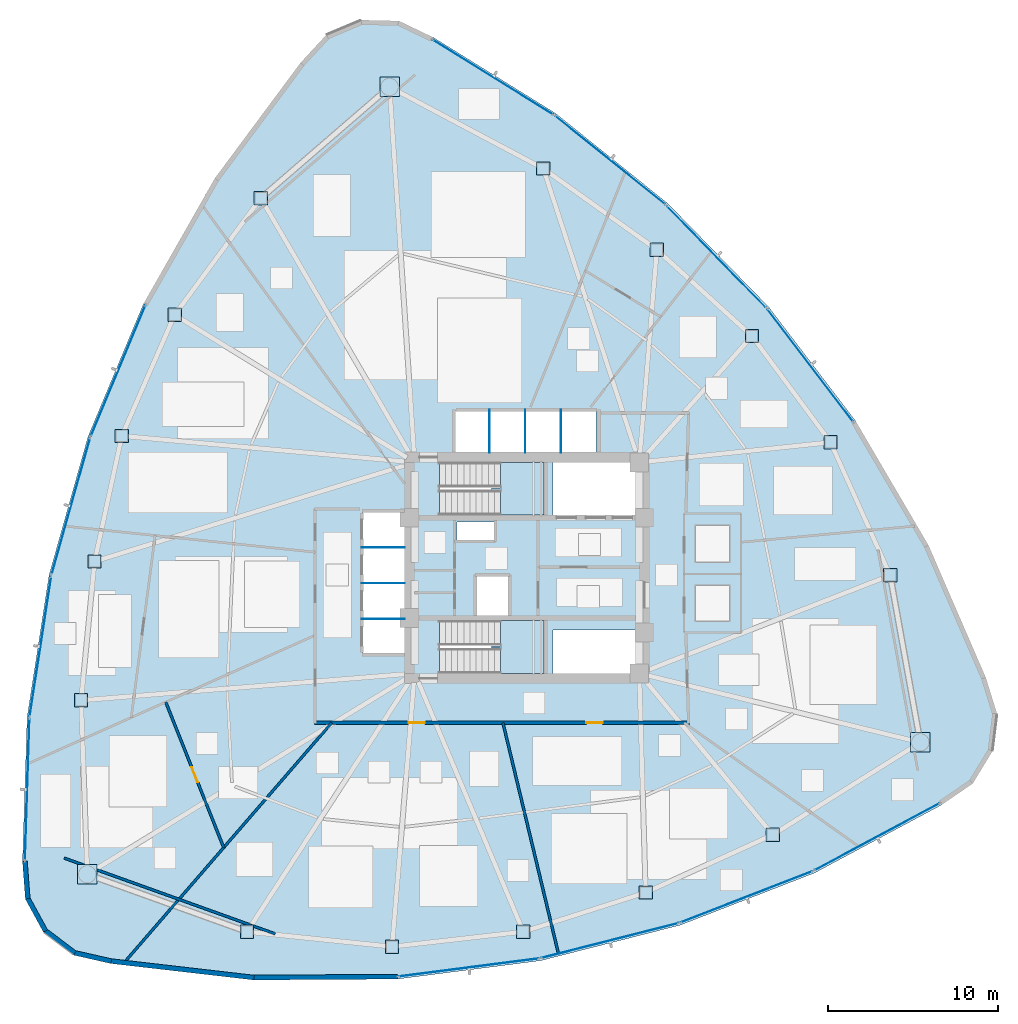
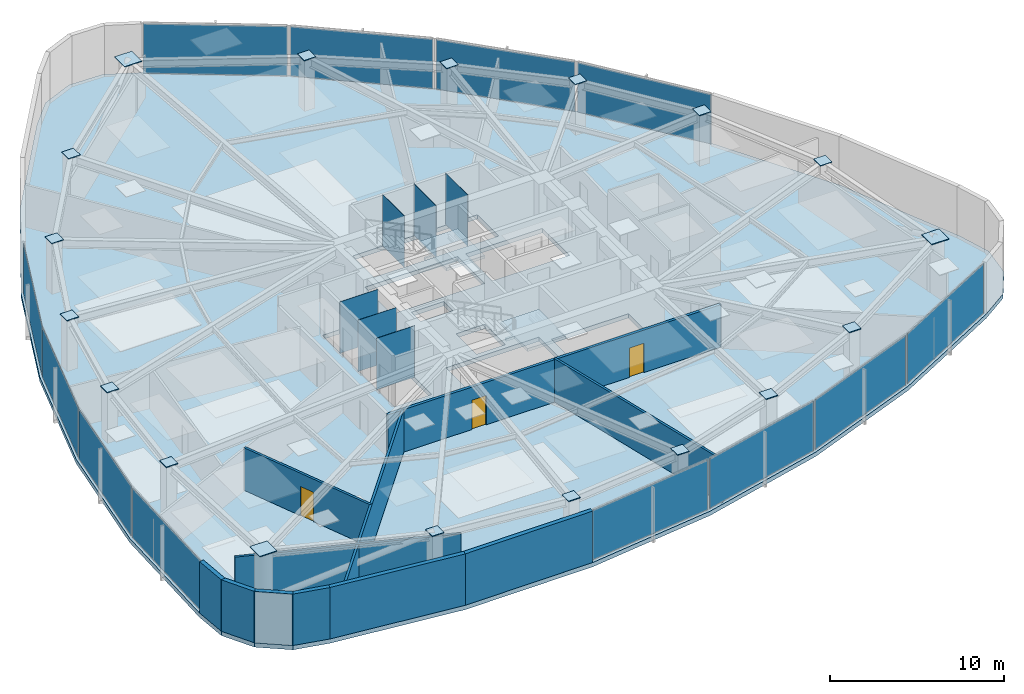
# One storey, part 10 of 17: 36 plates, 11 walls, 3 doors, 3 slabs, 3 openings, 14 elements without a shape of their own.
"""IFC4 building model written with IfcOpenShell, lengths in metres."""

from ifc_helpers import new_model, si_unit, direction, frame, frame_2d, origin, origin_2d, place, context, subcontext, project, spatial, polyline, rectangle, outline, extrude, source, transform, mapped, material, layer, layer_set, type_object, type_shapes, element, fill, aggregate, save


model = new_model("IFC4")

# Units and contexts
model_context = context("Model", 3, precision=1e-05, world=origin(), true_north=direction((0.0, 1.0)))
body_context = subcontext(model_context, "Body", "Model", "MODEL_VIEW")
ifc_project = project(units=[si_unit("LENGTHUNIT", "METRE"), si_unit("AREAUNIT", "SQUARE_METRE"), si_unit("VOLUMEUNIT", "CUBIC_METRE"), si_unit("PLANEANGLEUNIT", "RADIAN"), si_unit("MASSUNIT", "GRAM", prefix="KILO")], contexts=[model_context])

# Site, building, storey
site_placement = place(None, origin())
site = spatial("IfcSite", under=ifc_project, at=site_placement, CompositionType="ELEMENT")
building_placement = place(site_placement, origin())
building = spatial("IfcBuilding", under=site, at=building_placement, Name="Tavelor Broadcast Tower", CompositionType="ELEMENT")
storey_placement = place(building_placement, frame((0.0, 0.0, 70.5)))
storey = spatial("IfcBuildingStorey", under=building, at=storey_placement, Name="L16", CompositionType="ELEMENT", Elevation=70.5)

# Stair, slab
ifc_material_1 = material(Name="Concrete C40/50", Category="concrete")
stair_type = type_object("IfcStairType", Name="Reinforced Concrete Protected Dogleg Stair 1450 mm", PredefinedType="HALF_TURN_STAIR", material=ifc_material_1)
stair_1_placement = place(storey_placement, origin())
stair_1 = element("IfcStair", 1, at=stair_1_placement, inside=storey, type_object=stair_type, Name="L16 Protected Core Exit Stair ST1", PredefinedType="HALF_TURN_STAIR")
ifc_layer_1 = layer(ifc_material_1, 0.199951171875)
ifc_layer_set_1 = layer_set([ifc_layer_1], Name="Concrete C40/50")
slab_type_1 = type_object("IfcSlabType", Name="Reinforced Concrete Stair Half-Landing Slab 200 mm", PredefinedType="LANDING", material=ifc_layer_set_1)
slab_1_placement = place(storey_placement, frame((0.0, 0.0, 1.75)))
slab_1 = element("IfcSlab", 2, at=slab_1_placement, type_object=slab_type_1, Name="ST1 landing 1", PredefinedType="LANDING", context=body_context, shape_type="SweptSolid", body=[
    extrude(outline(polyline([(48.445068359375, 49.590087890625), (48.445068359375, 48.094970703125), (51.0048828125, 48.094970703125), (51.0048828125, 51.205078125), (48.445068359375, 51.205078125), (48.445068359375, 49.7099609375), (47.905029296875, 49.7099609375), (47.905029296875, 49.590087890625), (48.445068359375, 49.590087890625)])), origin(), (0.0, 0.0, 1.0), 0.199951171875),
])
aggregate(stair_1, [slab_1])

stair_2_placement = place(storey_placement, origin())
stair_2 = element("IfcStair", 3, at=stair_2_placement, inside=storey, type_object=stair_type, Name="L16 Protected Core Exit Stair ST2", PredefinedType="HALF_TURN_STAIR")
slab_2_placement = place(storey_placement, frame((0.0, 0.0, 1.75)))
slab_2 = element("IfcSlab", 4, at=slab_2_placement, type_object=slab_type_1, Name="ST2 landing 1", PredefinedType="LANDING", context=body_context, shape_type="SweptSolid", body=[
    extrude(outline(polyline([(48.445068359375, 40.2900390625), (48.445068359375, 38.794921875), (51.0048828125, 38.794921875), (51.0048828125, 41.905029296875), (48.445068359375, 41.905029296875), (48.445068359375, 40.409912109375), (47.905029296875, 40.409912109375), (47.905029296875, 40.2900390625), (48.445068359375, 40.2900390625)])), origin(), (0.0, 0.0, 1.0), 0.199951171875),
])
aggregate(stair_2, [slab_2])

# Slab
ifc_layer_2 = layer(ifc_material_1, 0.300048828125)
ifc_layer_set_2 = layer_set([ifc_layer_2], Name="Concrete C40/50")
slab_type_2 = type_object("IfcSlabType", Name="Tower Composite Floor Slab 300 mm", PredefinedType="FLOOR", material=ifc_layer_set_2)
slab_3_placement = place(storey_placement, frame((0.0, 0.0, -0.300048828125)))
element("IfcSlab", 5, at=slab_3_placement, inside=storey, type_object=slab_type_2, Name="L16 Structural Floor Slab", PredefinedType="FLOOR", context=body_context, shape_type="SweptSolid", body=[
    extrude(outline(polyline([(44.486328125, 76.182373046875), (42.4814453125, 77.14501953125), (40.258056640625, 77.197509765625), (38.2099609375, 76.330322265625), (36.7001953125, 74.697021484375), (31.655517578125, 67.898681640625), (27.470703125, 60.539794921875), (24.207275390625, 52.728515625), (21.912841796875, 44.57958984375), (20.62158203125, 36.212890625), (20.35205078125, 27.751708984375), (20.520751953125, 25.533935546875), (21.587158203125, 23.58203125), (23.3623046875, 22.2421875), (25.531494140625, 21.751220703125), (33.94140625, 20.78173828125), (42.406982421875, 20.8369140625), (50.803466796875, 21.916259765625), (59.0078125, 24.003662109375), (66.899169921875, 27.068603515625), (74.361572265625, 31.06591796875), (76.19775390625, 32.321044921875), (77.35498046875, 34.220458984375), (77.627685546875, 36.427734375), (76.96826171875, 38.5517578125), (73.60302734375, 46.319580078125), (69.322509765625, 53.623291015625), (64.189453125, 60.35546875), (58.279296875, 66.416748046875), (51.679443359375, 71.718505859375), (44.486328125, 76.182373046875)]), holes=[polyline([(56.60009765625, 38.800048828125), (51.52001953125, 38.800048828125), (51.52001953125, 41.35009765625), (56.60009765625, 41.35009765625), (56.60009765625, 38.800048828125)]), polyline([(50.99609375, 38.803955078125), (44.85400390625, 38.803955078125), (44.85400390625, 41.89599609375), (50.99609375, 41.89599609375), (50.99609375, 38.803955078125)]), polyline([(47.050048828125, 42.199951171875), (47.050048828125, 44.550048828125), (48.949951171875, 44.550048828125), (48.949951171875, 42.199951171875), (47.050048828125, 42.199951171875)]), polyline([(40.35009765625, 40.0), (40.35009765625, 48.25), (42.800048828125, 48.25), (42.800048828125, 40.0), (40.35009765625, 40.0)]), polyline([(48.050048828125, 46.64990234375), (45.89990234375, 46.64990234375), (45.89990234375, 47.699951171875), (48.050048828125, 47.699951171875), (48.050048828125, 46.64990234375)]), polyline([(50.99609375, 48.10400390625), (44.85400390625, 48.10400390625), (44.85400390625, 51.196044921875), (50.99609375, 51.196044921875), (50.99609375, 48.10400390625)]), polyline([(56.60009765625, 48.10009765625), (51.52001953125, 48.10009765625), (51.52001953125, 51.199951171875), (56.60009765625, 51.199951171875), (56.60009765625, 48.10009765625)]), polyline([(54.050048828125, 51.800048828125), (45.800048828125, 51.800048828125), (45.800048828125, 54.25), (54.050048828125, 54.25), (54.050048828125, 51.800048828125)])]), origin(), (0.0, 0.0, 1.0), 0.300048828125),
])

# Plates
ifc_material_2 = material(Name="Steel S460", Category="steel")
ifc_layer_3 = layer(ifc_material_2, 0.050048828125)
ifc_layer_set_3 = layer_set([ifc_layer_3], Name="Steel S460")
plate_type_1 = type_object("IfcPlateType", Name="Tube Hollow-End Cap Plate KN05 700x700x50", PredefinedType="USERDEFINED", material=ifc_layer_set_3)
shared_shape_1 = source(origin(), body_context, "Body", "SweptSolid", [
    extrude(rectangle(XDim=1.14697265625, YDim=1.14697265625, at=origin_2d()), origin(), (0.0, 0.0, 1.0), 0.054931640625),
])
for number, where, z_axis, x_axis, name in (
    (6, (41.923095703125, 73.266357421875, 3.57275390625), (0.0, 0.0, 1.0), (1.0, 0.0, 0.0), "L16 Hollow End Cap Plate KN05 #490"),
    (7, (24.1591796875, 26.98974609375, 3.57275390625), (0.0, 0.0, 1.0), (1.0, 0.0, 0.0), "L16 Hollow End Cap Plate KN05 #496"),
    (8, (73.117919921875, 34.743896484375, 3.57275390625), (0.0, 0.0, 1.0), (1.0, 0.0, 0.0), "L16 Hollow End Cap Plate KN05 #502"),
):
    element("IfcPlate", number, at=place(storey_placement, frame(where, z_axis=z_axis, x_axis=x_axis)), inside=storey, type_object=plate_type_1, Name=name, ObjectType="CAP PLATE", PredefinedType="USERDEFINED", context=body_context, shape_type="MappedRepresentation", body=[
        mapped(shared_shape_1, transform((0.0, 0.0, 0.0), scale=1.0)),
    ])
shared_shape_2 = source(origin(), body_context, "Body", "SweptSolid", [
    extrude(rectangle(XDim=0.780029296875, YDim=0.780029296875, at=origin_2d()), origin(), (0.0, 0.0, 1.0), 0.054931640625),
])
type_shapes(plate_type_1, [shared_shape_1, shared_shape_2])
for number, where, z_axis, x_axis, name in (
    (9, (34.356201171875, 66.727783203125, 3.57275390625), (0.0, 0.0, 1.0), (1.0, 0.0, 0.0), "L16 Hollow End Cap Plate KN05 #491"),
    (10, (29.292236328125, 59.87158203125, 3.57275390625), (0.0, 0.0, 1.0), (1.0, 0.0, 0.0), "L16 Hollow End Cap Plate KN05 #492"),
    (11, (26.189208984375, 52.75830078125, 3.57275390625), (0.0, 0.0, 1.0), (1.0, 0.0, 0.0), "L16 Hollow End Cap Plate KN05 #493"),
    (12, (24.58984375, 45.380615234375, 3.57275390625), (0.0, 0.0, 1.0), (1.0, 0.0, 0.0), "L16 Hollow End Cap Plate KN05 #494"),
    (13, (23.794677734375, 37.21630859375, 3.57275390625), (0.0, 0.0, 1.0), (1.0, 0.0, 0.0), "L16 Hollow End Cap Plate KN05 #495"),
    (14, (33.55078125, 23.615478515625, 3.57275390625), (0.0, 0.0, 1.0), (1.0, 0.0, 0.0), "L16 Hollow End Cap Plate KN05 #497"),
    (15, (42.0732421875, 22.740478515625, 3.57275390625), (0.0, 0.0, 1.0), (1.0, 0.0, 0.0), "L16 Hollow End Cap Plate KN05 #498"),
    (16, (49.78662109375, 23.617919921875, 3.57275390625), (0.0, 0.0, 1.0), (1.0, 0.0, 0.0), "L16 Hollow End Cap Plate KN05 #499"),
    (17, (56.975341796875, 25.92138671875, 3.57275390625), (0.0, 0.0, 1.0), (1.0, 0.0, 0.0), "L16 Hollow End Cap Plate KN05 #500"),
    (18, (64.443603515625, 29.31494140625, 3.57275390625), (0.0, 0.0, 1.0), (1.0, 0.0, 0.0), "L16 Hollow End Cap Plate KN05 #501"),
    (19, (71.343994140625, 44.564697265625, 3.57275390625), (0.0, 0.0, 1.0), (1.0, 0.0, 0.0), "L16 Hollow End Cap Plate KN05 #503"),
    (20, (67.8408203125, 52.382568359375, 3.57275390625), (0.0, 0.0, 1.0), (1.0, 0.0, 0.0), "L16 Hollow End Cap Plate KN05 #504"),
    (21, (63.22412109375, 58.623779296875, 3.57275390625), (0.0, 0.0, 1.0), (1.0, 0.0, 0.0), "L16 Hollow End Cap Plate KN05 #505"),
    (22, (57.634765625, 63.69775390625, 3.57275390625), (0.0, 0.0, 1.0), (1.0, 0.0, 0.0), "L16 Hollow End Cap Plate KN05 #506"),
    (23, (50.9619140625, 68.468505859375, 3.57275390625), (0.0, 0.0, 1.0), (1.0, 0.0, 0.0), "L16 Hollow End Cap Plate KN05 #507"),
):
    element("IfcPlate", number, at=place(storey_placement, frame(where, z_axis=z_axis, x_axis=x_axis)), inside=storey, type_object=plate_type_1, Name=name, ObjectType="CAP PLATE", PredefinedType="USERDEFINED", context=body_context, shape_type="MappedRepresentation", body=[
        mapped(shared_shape_2, transform((0.0, 0.0, 0.0), scale=1.0)),
    ])
ifc_material_3 = material(Name="Steel S355", Category="steel")
ifc_layer_4 = layer(ifc_material_3, 0.011962890625)
ifc_layer_set_4 = layer_set([ifc_layer_4], Name="Steel S355")
plate_type_2 = type_object("IfcPlateType", Name="Hoistway Steel Separator Screen 12 mm", PredefinedType="SHEET", material=ifc_layer_set_4)
shared_shape_3 = source(origin(), body_context, "Body", "SweptSolid", [
    extrude(rectangle(XDim=2.52001953125, YDim=0.02001953125, at=origin_2d()), origin(), (0.0, 0.0, 1.0), 3.60009765625),
])
for number, where, z_axis, x_axis, name in (
    (24, (41.56005859375, 42.0, 0.0), (0.0, 0.0, 1.0), (1.0, 0.0, 0.0), "L16 Low-Rise Hoistway Separator Screen 1"),
    (25, (41.56005859375, 44.10009765625, 0.0), (0.0, 0.0, 1.0), (1.0, 0.0, 0.0), "L16 Low-Rise Hoistway Separator Screen 2"),
    (26, (41.56005859375, 46.199951171875, 0.0), (0.0, 0.0, 1.0), (1.0, 0.0, 0.0), "L16 Low-Rise Hoistway Separator Screen 3"),
):
    element("IfcPlate", number, at=place(storey_placement, frame(where, z_axis=z_axis, x_axis=x_axis)), inside=storey, type_object=plate_type_2, Name=name, PredefinedType="SHEET", context=body_context, shape_type="MappedRepresentation", body=[
        mapped(shared_shape_3, transform((0.0, 0.0, 0.0), scale=1.0)),
    ])
shared_shape_4 = source(origin(), body_context, "Body", "SweptSolid", [
    extrude(rectangle(XDim=0.02001953125, YDim=2.52001953125, at=origin_2d()), origin(), (0.0, 0.0, 1.0), 3.60009765625),
])
type_shapes(plate_type_2, [shared_shape_3, shared_shape_4])
for number, where, z_axis, x_axis, name in (
    (27, (47.800048828125, 53.0400390625, 0.0), (0.0, 0.0, 1.0), (1.0, 0.0, 0.0), "L16 High-Rise Hoistway Separator Screen 1"),
    (28, (49.89990234375, 53.0400390625, 0.0), (0.0, 0.0, 1.0), (1.0, 0.0, 0.0), "L16 High-Rise Hoistway Separator Screen 2"),
    (29, (52.0, 53.0400390625, 0.0), (0.0, 0.0, 1.0), (1.0, 0.0, 0.0), "L16 High-Rise Hoistway Separator Screen 3"),
):
    element("IfcPlate", number, at=place(storey_placement, frame(where, z_axis=z_axis, x_axis=x_axis)), inside=storey, type_object=plate_type_2, Name=name, PredefinedType="SHEET", context=body_context, shape_type="MappedRepresentation", body=[
        mapped(shared_shape_4, transform((0.0, 0.0, 0.0), scale=1.0)),
    ])

# Curtain wall, plate
ifc_material_4 = material(Name="Architectural Anodized Aluminium", Category="aluminium")
ifc_layer_5 = layer(ifc_material_4, 0.179931640625)
ifc_layer_set_5 = layer_set([ifc_layer_5], Name="Architectural Anodized Aluminium")
curtain_wall_type = type_object("IfcCurtainWallType", Name="Tower Low-Zone Unitised Curtain Wall CW02", PredefinedType="NOTDEFINED", material=ifc_layer_set_5)
curtain_wall_1_placement = place(storey_placement, origin())
curtain_wall_1 = element("IfcCurtainWall", 30, at=curtain_wall_1_placement, inside=storey, type_object=curtain_wall_type, Name="L16 Curtain Wall CW02 Run 145", PredefinedType="NOTDEFINED")
ifc_material_5 = material(Name="Acoustic Double Glazing 28 mm", Category="glass")
ifc_layer_6 = layer(ifc_material_5, 0.028076171875)
ifc_layer_set_6 = layer_set([ifc_layer_6], Name="Acoustic Double Glazing 28 mm")
plate_type_3 = type_object("IfcPlateType", Name="CW02 Insulated Vision Glazing Panel 28 mm", PredefinedType="CURTAIN_PANEL", material=ifc_layer_set_6)
shared_shape_5 = source(origin(), body_context, "Body", "SweptSolid", [
    extrude(rectangle(XDim=8.3037109375, YDim=0.028076171875, at=origin_2d()), origin(), (0.0, 0.0, 1.0), 3.469970703125),
])
plate_1_placement = place(storey_placement, frame((25.970947265625, 56.5869140625, 0.06494140625), z_axis=(0.0, 0.0, 1.0), x_axis=(-0.385502605579, -0.922706747072, 0.0)))
plate_1 = element("IfcPlate", 31, at=plate_1_placement, type_object=plate_type_3, Name="CW02 panel 1.1", PredefinedType="CURTAIN_PANEL", context=body_context, shape_type="MappedRepresentation", body=[
    mapped(shared_shape_5, transform((0.0, 0.0, 0.0), scale=1.0)),
])
aggregate(curtain_wall_1, [plate_1])

curtain_wall_2_placement = place(storey_placement, origin())
curtain_wall_2 = element("IfcCurtainWall", 32, at=curtain_wall_2_placement, inside=storey, type_object=curtain_wall_type, Name="L16 Curtain Wall CW02 Run 149", PredefinedType="NOTDEFINED")
plate_2_placement = place(storey_placement, frame((46.579833984375, 21.5146484375, 0.06494140625), z_axis=(0.0, 0.0, 1.0), x_axis=(0.991838388891, 0.127501413018, 0.0)))
plate_2 = element("IfcPlate", 33, at=plate_2_placement, type_object=plate_type_3, Name="CW02 panel 1.1", PredefinedType="CURTAIN_PANEL", context=body_context, shape_type="MappedRepresentation", body=[
    mapped(shared_shape_5, transform((0.0, 0.0, 0.0), scale=1.0)),
])
aggregate(curtain_wall_2, [plate_2])

curtain_wall_3_placement = place(storey_placement, origin())
curtain_wall_3 = element("IfcCurtainWall", 34, at=curtain_wall_3_placement, inside=storey, type_object=curtain_wall_type, Name="L16 Curtain Wall CW02 Run 153", PredefinedType="NOTDEFINED")
plate_3_placement = place(storey_placement, frame((66.649169921875, 56.8984375, 0.06494140625), z_axis=(0.0, 0.0, 1.0), x_axis=(-0.60633469052, 0.795209559218, 0.0)))
plate_3 = element("IfcPlate", 35, at=plate_3_placement, type_object=plate_type_3, Name="CW02 panel 1.1", PredefinedType="CURTAIN_PANEL", context=body_context, shape_type="MappedRepresentation", body=[
    mapped(shared_shape_5, transform((0.0, 0.0, 0.0), scale=1.0)),
])
aggregate(curtain_wall_3, [plate_3])

curtain_wall_4_placement = place(storey_placement, origin())
curtain_wall_4 = element("IfcCurtainWall", 36, at=curtain_wall_4_placement, inside=storey, type_object=curtain_wall_type, Name="L16 Curtain Wall CW02 Run 146", PredefinedType="NOTDEFINED")
shared_shape_6 = source(origin(), body_context, "Body", "SweptSolid", [
    extrude(rectangle(XDim=8.288818359375, YDim=0.028076171875, at=origin_2d()), origin(), (0.0, 0.0, 1.0), 3.469970703125),
])
plate_4_placement = place(storey_placement, frame((23.19482421875, 48.615966796875, 0.06494140625), z_axis=(0.0, 0.0, 1.0), x_axis=(-0.271027635098, -0.962571566697, 0.0)))
plate_4 = element("IfcPlate", 37, at=plate_4_placement, type_object=plate_type_3, Name="CW02 panel 1.1", PredefinedType="CURTAIN_PANEL", context=body_context, shape_type="MappedRepresentation", body=[
    mapped(shared_shape_6, transform((0.0, 0.0, 0.0), scale=1.0)),
])
aggregate(curtain_wall_4, [plate_4])

curtain_wall_5_placement = place(storey_placement, origin())
curtain_wall_5 = element("IfcCurtainWall", 38, at=curtain_wall_5_placement, inside=storey, type_object=curtain_wall_type, Name="L16 Curtain Wall CW02 Run 151", PredefinedType="NOTDEFINED")
plate_5_placement = place(storey_placement, frame((62.902587890625, 25.666748046875, 0.06494140625), z_axis=(0.0, 0.0, 1.0), x_axis=(0.93215884537, 0.362049564283, 0.0)))
plate_5 = element("IfcPlate", 39, at=plate_5_placement, type_object=plate_type_3, Name="CW02 panel 1.1", PredefinedType="CURTAIN_PANEL", context=body_context, shape_type="MappedRepresentation", body=[
    mapped(shared_shape_6, transform((0.0, 0.0, 0.0), scale=1.0)),
])
aggregate(curtain_wall_5, [plate_5])

curtain_wall_6_placement = place(storey_placement, origin())
curtain_wall_6 = element("IfcCurtainWall", 40, at=curtain_wall_6_placement, inside=storey, type_object=curtain_wall_type, Name="L16 Curtain Wall CW02 Run 147", PredefinedType="NOTDEFINED")
shared_shape_7 = source(origin(), body_context, "Body", "SweptSolid", [
    extrude(rectangle(XDim=8.28857421875, YDim=0.028076171875, at=origin_2d()), origin(), (0.0, 0.0, 1.0), 3.469970703125),
])
plate_6_placement = place(storey_placement, frame((21.405517578125, 40.375, 0.06494140625), z_axis=(0.0, 0.0, 1.0), x_axis=(-0.152544530238, -0.988296598342, 0.0)))
plate_6 = element("IfcPlate", 41, at=plate_6_placement, type_object=plate_type_3, Name="CW02 panel 1.1", PredefinedType="CURTAIN_PANEL", context=body_context, shape_type="MappedRepresentation", body=[
    mapped(shared_shape_7, transform((0.0, 0.0, 0.0), scale=1.0)),
])
aggregate(curtain_wall_6, [plate_6])

curtain_wall_7_placement = place(storey_placement, origin())
curtain_wall_7 = element("IfcCurtainWall", 42, at=curtain_wall_7_placement, inside=storey, type_object=curtain_wall_type, Name="L16 Curtain Wall CW02 Run 150", PredefinedType="NOTDEFINED")
plate_7_placement = place(storey_placement, frame((54.87109375, 23.095703125, 0.06494140625), z_axis=(0.0, 0.0, 1.0), x_axis=(0.969123706059, 0.246575023784, 0.0)))
plate_7 = element("IfcPlate", 43, at=plate_7_placement, type_object=plate_type_3, Name="CW02 panel 1.1", PredefinedType="CURTAIN_PANEL", context=body_context, shape_type="MappedRepresentation", body=[
    mapped(shared_shape_7, transform((0.0, 0.0, 0.0), scale=1.0)),
])
aggregate(curtain_wall_7, [plate_7])

curtain_wall_8_placement = place(storey_placement, origin())
curtain_wall_8 = element("IfcCurtainWall", 44, at=curtain_wall_8_placement, inside=storey, type_object=curtain_wall_type, Name="L16 Curtain Wall CW02 Run 154", PredefinedType="NOTDEFINED")
plate_8_placement = place(storey_placement, frame((61.13427734375, 63.288330078125, 0.06494140625), z_axis=(0.0, 0.0, 1.0), x_axis=(-0.698117795581, 0.71598292123, 0.0)))
plate_8 = element("IfcPlate", 45, at=plate_8_placement, type_object=plate_type_3, Name="CW02 panel 1.1", PredefinedType="CURTAIN_PANEL", context=body_context, shape_type="MappedRepresentation", body=[
    mapped(shared_shape_7, transform((0.0, 0.0, 0.0), scale=1.0)),
])
aggregate(curtain_wall_8, [plate_8])

curtain_wall_9_placement = place(storey_placement, origin())
curtain_wall_9 = element("IfcCurtainWall", 46, at=curtain_wall_9_placement, inside=storey, type_object=curtain_wall_type, Name="L16 Curtain Wall CW02 Run 155", PredefinedType="NOTDEFINED")
plate_9_placement = place(storey_placement, frame((54.891845703125, 68.95849609375, 0.06494140625), z_axis=(0.0, 0.0, 1.0), x_axis=(-0.779617983257, 0.626255379364, 0.0)))
plate_9 = element("IfcPlate", 47, at=plate_9_placement, type_object=plate_type_3, Name="CW02 panel 1.1", PredefinedType="CURTAIN_PANEL", context=body_context, shape_type="MappedRepresentation", body=[
    mapped(shared_shape_7, transform((0.0, 0.0, 0.0), scale=1.0)),
])
aggregate(curtain_wall_9, [plate_9])

curtain_wall_10_placement = place(storey_placement, origin())
curtain_wall_10 = element("IfcCurtainWall", 48, at=curtain_wall_10_placement, inside=storey, type_object=curtain_wall_type, Name="L16 Curtain Wall CW02 Run 148", PredefinedType="NOTDEFINED")
shared_shape_8 = source(origin(), body_context, "Body", "SweptSolid", [
    extrude(rectangle(XDim=8.3046875, YDim=0.028076171875, at=origin_2d()), origin(), (0.0, 0.0, 1.0), 3.469970703125),
])
plate_10_placement = place(storey_placement, frame((20.62646484375, 31.969970703125, 0.06494140625), z_axis=(0.0, 0.0, 1.0), x_axis=(-0.031821037858, -0.999493582546, 0.0)))
plate_10 = element("IfcPlate", 49, at=plate_10_placement, type_object=plate_type_3, Name="CW02 panel 1.1", PredefinedType="CURTAIN_PANEL", context=body_context, shape_type="MappedRepresentation", body=[
    mapped(shared_shape_8, transform((0.0, 0.0, 0.0), scale=1.0)),
])
aggregate(curtain_wall_10, [plate_10])

curtain_wall_11_placement = place(storey_placement, origin())
curtain_wall_11 = element("IfcCurtainWall", 50, at=curtain_wall_11_placement, inside=storey, type_object=curtain_wall_type, Name="L16 Curtain Wall CW02 Run 156", PredefinedType="NOTDEFINED")
plate_11_placement = place(storey_placement, frame((48.00244140625, 73.835693359375, 0.06494140625), z_axis=(0.0, 0.0, 1.0), x_axis=(-0.84967185484, 0.527311804432, 0.0)))
plate_11 = element("IfcPlate", 51, at=plate_11_placement, type_object=plate_type_3, Name="CW02 panel 1.1", PredefinedType="CURTAIN_PANEL", context=body_context, shape_type="MappedRepresentation", body=[
    mapped(shared_shape_8, transform((0.0, 0.0, 0.0), scale=1.0)),
])
aggregate(curtain_wall_11, [plate_11])

curtain_wall_12_placement = place(storey_placement, origin())
curtain_wall_12 = element("IfcCurtainWall", 52, at=curtain_wall_12_placement, inside=storey, type_object=curtain_wall_type, Name="L16 Curtain Wall CW02 Run 152", PredefinedType="NOTDEFINED")
shared_shape_9 = source(origin(), body_context, "Body", "SweptSolid", [
    extrude(rectangle(XDim=8.304443359375, YDim=0.028076171875, at=origin_2d()), origin(), (0.0, 0.0, 1.0), 3.469970703125),
])
type_shapes(plate_type_3, [shared_shape_5, shared_shape_6, shared_shape_7, shared_shape_8, shared_shape_9])
plate_12_placement = place(storey_placement, frame((70.5712890625, 29.194580078125, 0.06494140625), z_axis=(0.0, 0.0, 1.0), x_axis=(0.881501472258, 0.472181272826, 0.0)))
plate_12 = element("IfcPlate", 53, at=plate_12_placement, type_object=plate_type_3, Name="CW02 panel 1.1", PredefinedType="CURTAIN_PANEL", context=body_context, shape_type="MappedRepresentation", body=[
    mapped(shared_shape_9, transform((0.0, 0.0, 0.0), scale=1.0)),
])
aggregate(curtain_wall_12, [plate_12])

# Wall, openings, doors
ifc_material_6 = material(Name="Calcium Silicate Fire Board 180 mm", Category="gypsum")
ifc_layer_7 = layer(ifc_material_6, 0.179931640625)
ifc_layer_set_7 = layer_set([ifc_layer_7], Name="Calcium Silicate Fire Board 180 mm")
wall_type_1 = type_object("IfcWallType", Name="Fire-Rated Corridor Partition Wall 180 mm", PredefinedType="PARTITIONING", material=ifc_layer_set_7)
wall_1_placement = place(storey_placement, frame((59.550048828125, 35.89990234375, 0.0), z_axis=(0.0, 0.0, 1.0), x_axis=(-1.0, 0.0, 0.0)))
wall_1 = element("IfcWall", 54, at=wall_1_placement, inside=storey, type_object=wall_type_1, Name="L16 Corridor Compartment Wall 04", PredefinedType="PARTITIONING", context=body_context, shape_type="SweptSolid", body=[
    extrude(rectangle(XDim=22.050048828125, YDim=0.179931640625, at=frame_2d((11.02490234375, 0.0))), origin(), (0.0, 0.0, 1.0), 2.97509765625),
])
opening_1_placement = place(wall_1_placement, frame((5.110107421875, 0.0, 0.0)))
opening_1 = element("IfcOpeningElement", 55, at=opening_1_placement, cuts=wall_1, Name="Opening DR18", PredefinedType="OPENING", context=body_context, shape_type="SweptSolid", body=[
    extrude(rectangle(XDim=0.949951171875, YDim=2.050048828125, at=frame_2d((0.47509765625, 1.02490234375))), frame((0.0, 0.10009765625, 0.0), z_axis=(0.0, -1.0, 0.0), x_axis=(1.0, 0.0, 0.0)), (0.0, 0.0, 1.0), 0.199951171875),
])
opening_2_placement = place(wall_1_placement, frame((15.549560546875, 0.0, 0.0)))
opening_2 = element("IfcOpeningElement", 56, at=opening_2_placement, cuts=wall_1, Name="Opening DR18", PredefinedType="OPENING", context=body_context, shape_type="SweptSolid", body=[
    extrude(rectangle(XDim=0.949951171875, YDim=2.050048828125, at=frame_2d((0.47509765625, 1.02490234375))), frame((0.0, 0.10009765625, 0.0), z_axis=(0.0, -1.0, 0.0), x_axis=(1.0, 0.0, 0.0)), (0.0, 0.0, 1.0), 0.199951171875),
])
ifc_material_7 = material(Name="Timber Solid Core Hardwood", Category="wood")
door_type_1 = type_object("IfcDoorType", Name="Corridor Rated Compartment Door 950x2050", OperationType="NOTDEFINED", PredefinedType="DOOR", material=ifc_material_7)
door_1_placement = place(opening_1_placement, origin())
door_1 = element("IfcDoor", 57, at=door_1_placement, inside=storey, type_object=door_type_1, Name="L16 Digital Publishing Workspace Door R8", OperationType="SINGLE_SWING_LEFT", OverallHeight=2.050048828125, OverallWidth=0.949951171875, PredefinedType="DOOR", context=body_context, shape_type="SweptSolid", body=[
    extrude(rectangle(XDim=0.949951171875, YDim=2.050048828125, at=frame_2d((0.47509765625, 1.02490234375))), frame((0.0, 0.02490234375, 0.0), z_axis=(0.0, -1.0, 0.0), x_axis=(1.0, 0.0, 0.0)), (0.0, 0.0, 1.0), 0.050048828125),
])
fill(opening_1, door_1)
door_2_placement = place(opening_2_placement, origin())
door_2 = element("IfcDoor", 58, at=door_2_placement, inside=storey, type_object=door_type_1, Name="L16 Wellness Quiet Room Door R0", OperationType="SINGLE_SWING_RIGHT", OverallHeight=2.050048828125, OverallWidth=0.949951171875, PredefinedType="DOOR", context=body_context, shape_type="SweptSolid", body=[
    extrude(rectangle(XDim=0.949951171875, YDim=2.050048828125, at=frame_2d((0.47509765625, 1.02490234375))), frame((0.0, 0.02490234375, 0.0), z_axis=(0.0, -1.0, 0.0), x_axis=(1.0, 0.0, 0.0)), (0.0, 0.0, 1.0), 0.050048828125),
])
fill(opening_2, door_2)

# Walls
ifc_material_8 = material(Name="Precast Concrete C40/50", Category="concrete")
ifc_layer_8 = layer(ifc_material_8, 0.280029296875)
ifc_layer_set_8 = layer_set([ifc_layer_8], Name="Precast Concrete C40/50")
wall_type_2 = type_object("IfcWallType", Name="Insulated Precast Terracotta Facade Wall 280 mm", PredefinedType="STANDARD", material=ifc_layer_set_8)
wall_2_placement = place(storey_placement, frame((20.491943359375, 27.7587890625, 0.0), z_axis=(0.0, 0.0, 1.0), x_axis=(0.075824600603, -0.997121171144, 0.0)))
element("IfcWall", 59, at=wall_2_placement, inside=storey, type_object=wall_type_2, Name="L16 Rounded Corner Structural Cladding Pier 11", PredefinedType="STANDARD", context=body_context, shape_type="SweptSolid", body=[
    extrude(rectangle(XDim=2.20556640625, YDim=0.280029296875, at=frame_2d((1.102783203125, 0.0))), origin(), (0.0, 0.0, 1.0), 3.60009765625),
])
wall_3_placement = place(storey_placement, frame((20.65087890625, 25.587646484375, 0.0), z_axis=(0.0, 0.0, 1.0), x_axis=(0.479460241138, -0.877563602919, 0.0)))
element("IfcWall", 60, at=wall_3_placement, inside=storey, type_object=wall_type_2, Name="L16 Rounded Corner Structural Cladding Pier 12", PredefinedType="STANDARD", context=body_context, shape_type="SweptSolid", body=[
    extrude(rectangle(XDim=2.193603515625, YDim=0.280029296875, at=frame_2d((1.0966796875, 0.0))), origin(), (0.0, 0.0, 1.0), 3.60009765625),
])
wall_4_placement = place(storey_placement, frame((21.68359375, 23.684814453125, 0.0), z_axis=(0.0, 0.0, 1.0), x_axis=(0.798126550532, -0.602489841687, 0.0)))
element("IfcWall", 61, at=wall_4_placement, inside=storey, type_object=wall_type_2, Name="L16 Rounded Corner Structural Cladding Pier 13", PredefinedType="STANDARD", context=body_context, shape_type="SweptSolid", body=[
    extrude(rectangle(XDim=2.19384765625, YDim=0.280029296875, at=frame_2d((1.096923828125, 0.0))), origin(), (0.0, 0.0, 1.0), 3.60009765625),
])
wall_5_placement = place(storey_placement, frame((23.407958984375, 22.375244140625, 0.0), z_axis=(0.0, 0.0, 1.0), x_axis=(0.975329411443, -0.220754477133, 0.0)))
element("IfcWall", 62, at=wall_5_placement, inside=storey, type_object=wall_type_2, Name="L16 Rounded Corner Structural Cladding Pier 14", PredefinedType="STANDARD", context=body_context, shape_type="SweptSolid", body=[
    extrude(rectangle(XDim=2.21630859375, YDim=0.280029296875, at=frame_2d((1.108154296875, 0.0))), origin(), (0.0, 0.0, 1.0), 3.60009765625),
])
wall_6_placement = place(storey_placement, frame((25.5400390625, 21.89111328125, 0.0), z_axis=(0.0, 0.0, 1.0), x_axis=(0.993419523514, -0.114532311168, 0.0)))
element("IfcWall", 63, at=wall_6_placement, inside=storey, type_object=wall_type_2, Name="L16 Rounded Corner Structural Cladding Pier 15", PredefinedType="STANDARD", context=body_context, shape_type="SweptSolid", body=[
    extrude(rectangle(XDim=8.479736328125, YDim=0.280029296875, at=frame_2d((4.23974609375, 0.0))), origin(), (0.0, 0.0, 1.0), 3.60009765625),
])
wall_7_placement = place(storey_placement, frame((33.93408203125, 20.921630859375, 0.0), z_axis=(0.0, 0.0, 1.0), x_axis=(0.99997858222, 0.006544853045, 0.0)))
element("IfcWall", 64, at=wall_7_placement, inside=storey, type_object=wall_type_2, Name="L16 Rounded Corner Structural Cladding Pier 16", PredefinedType="STANDARD", context=body_context, shape_type="SweptSolid", body=[
    extrude(rectangle(XDim=8.4677734375, YDim=0.280029296875, at=frame_2d((4.23388671875, 0.0))), origin(), (0.0, 0.0, 1.0), 3.60009765625),
])
ifc_material_9 = material(Name="Gypsum Acoustic Plasterboard 150 mm", Category="gypsum")
ifc_layer_9 = layer(ifc_material_9, 0.14990234375)
ifc_layer_set_9 = layer_set([ifc_layer_9], Name="Gypsum Acoustic Plasterboard 150 mm")
wall_type_3 = type_object("IfcWallType", Name="Interior Acoustic Partition Wall 150 mm", PredefinedType="PARTITIONING", material=ifc_layer_set_9)
wall_8_placement = place(storey_placement, frame((22.802001953125, 27.94482421875, 0.0), z_axis=(0.0, 0.0, 1.0), x_axis=(0.941102349209, -0.338121824662, 0.0)))
element("IfcWall", 65, at=wall_8_placement, inside=storey, type_object=wall_type_3, Name="L16 Corner Tube Brace Furring Wall 2", PredefinedType="PARTITIONING", context=body_context, shape_type="SweptSolid", body=[
    extrude(rectangle(XDim=13.1796875, YDim=0.14990234375, at=frame_2d((6.58984375, 0.0))), origin(), (0.0, 0.0, 1.0), 2.97509765625),
])
wall_9_placement = place(storey_placement, frame((38.526123046875, 35.89990234375, 0.0), z_axis=(0.0, 0.0, 1.0), x_axis=(-0.6543190419, -0.756218613502, 0.0)))
element("IfcWall", 66, at=wall_9_placement, inside=storey, type_object=wall_type_3, Name="L16 Radial Compartment Wall 04", PredefinedType="PARTITIONING", context=body_context, shape_type="SweptSolid", body=[
    extrude(rectangle(XDim=18.65673828125, YDim=0.14990234375, at=frame_2d((9.328369140625, 0.0))), origin(), (0.0, 0.0, 1.0), 2.97509765625),
])
wall_10_placement = place(storey_placement, frame((48.587646484375, 35.89990234375, 0.0), z_axis=(0.0, 0.0, 1.0), x_axis=(0.233733840212, -0.972300618091, 0.0)))
element("IfcWall", 67, at=wall_10_placement, inside=storey, type_object=wall_type_3, Name="L16 Radial Compartment Wall 05", PredefinedType="PARTITIONING", context=body_context, shape_type="SweptSolid", body=[
    extrude(rectangle(XDim=13.969482421875, YDim=0.14990234375, at=frame_2d((6.98486328125, 0.0))), origin(), (0.0, 0.0, 1.0), 3.02490234375),
])

# Wall, opening, door
wall_11_placement = place(storey_placement, frame((28.769775390625, 37.114990234375, 0.0), z_axis=(0.0, 0.0, 1.0), x_axis=(0.370251847247, -0.928931412759, 0.0)))
wall_11 = element("IfcWall", 68, at=wall_11_placement, inside=storey, type_object=wall_type_3, Name="L16 Suite Chord Partition Wall 03", PredefinedType="PARTITIONING", context=body_context, shape_type="SweptSolid", body=[
    extrude(rectangle(XDim=9.205810546875, YDim=0.14990234375, at=frame_2d((4.60302734375, 0.0))), origin(), (0.0, 0.0, 1.0), 2.97509765625),
])
opening_3_placement = place(wall_11_placement, frame((4.1279296875, 0.0, 0.0)))
opening_3 = element("IfcOpeningElement", 69, at=opening_3_placement, cuts=wall_11, Name="Opening DR23", PredefinedType="OPENING", context=body_context, shape_type="SweptSolid", body=[
    extrude(rectangle(XDim=0.949951171875, YDim=2.050048828125, at=frame_2d((0.47509765625, 1.02490234375))), frame((0.0, 0.0849609375, 0.0), z_axis=(0.0, -1.0, 0.0), x_axis=(1.0, 0.0, 0.0)), (0.0, 0.0, 1.0), 0.169921875),
])
door_type_2 = type_object("IfcDoorType", Name="Editorial Room Acoustic Door 950x2050", OperationType="NOTDEFINED", PredefinedType="DOOR", material=ifc_material_7)
door_3_placement = place(opening_3_placement, origin())
door_3 = element("IfcDoor", 70, at=door_3_placement, inside=storey, type_object=door_type_2, Name="L16 Outer Suite Partition Door 3", OperationType="SINGLE_SWING_RIGHT", OverallHeight=2.050048828125, OverallWidth=0.949951171875, PredefinedType="DOOR", context=body_context, shape_type="SweptSolid", body=[
    extrude(rectangle(XDim=0.949951171875, YDim=2.050048828125, at=frame_2d((0.47509765625, 1.02490234375))), frame((0.0, 0.02490234375, 0.0), z_axis=(0.0, -1.0, 0.0), x_axis=(1.0, 0.0, 0.0)), (0.0, 0.0, 1.0), 0.050048828125),
])
fill(opening_3, door_3)

save(model, "model.ifc")
